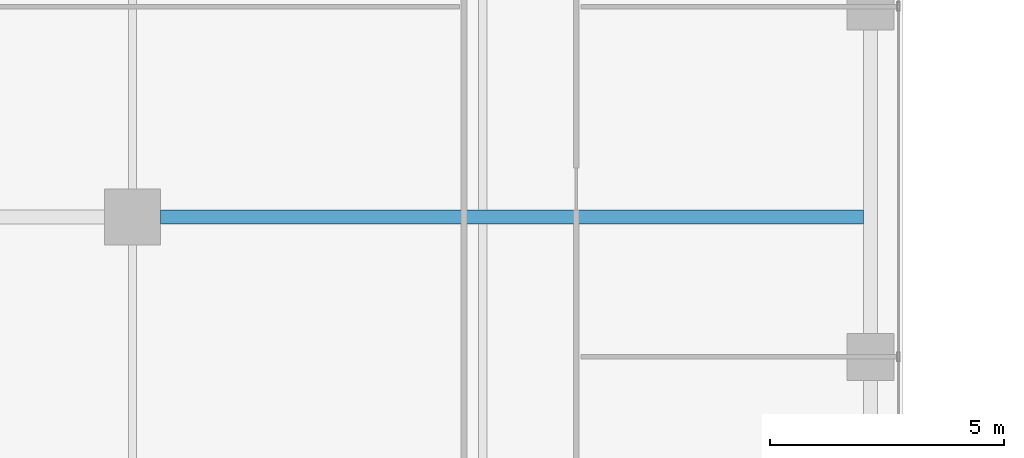
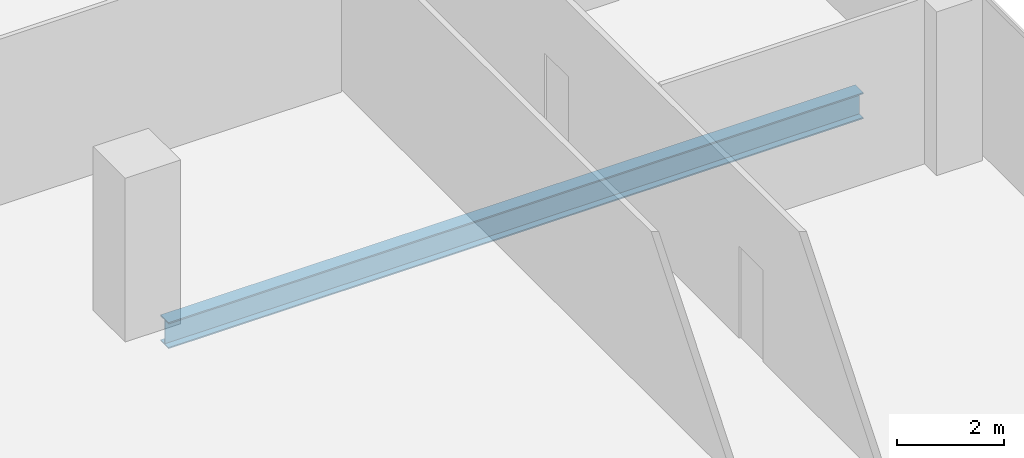
# One storey, part 13 of 38: 1 beam.
"""IFC4 building model written with IfcOpenShell, lengths in metres."""

import ifcopenshell
import ifcopenshell.guid

model = None  # the IFC model being written
_history = None  # IfcOwnerHistory: only IFC2X3 demands one
_inside = {}  # id of a spatial element -> (the spatial element, [elements in it])
_under = {}  # id of a project, library or spatial element -> (it, [spatial elements below it])
_declared = {}  # id of a project -> (the project, [libraries it declares])
_typed = {}  # id of a type object -> (the type object, [elements of that type])
_made_of = {}  # id of a material, layer set ... -> (it, [elements and type objects made of it])


def new_model(schema):
    """Start an empty IFC model of exactly this schema.

    Asked for "IFC4X3", IfcOpenShell would pick the latest addendum, in which some entities
    have other attributes; the version numbers below select the first issue.
    IFC2X3 requires an IfcOwnerHistory on every rooted entity: one is made here for all.
    """
    global model, _history
    if schema == "IFC4X3":
        model = ifcopenshell.file(schema_version=(4, 3, 0, 0))
    else:
        model = ifcopenshell.file(schema=schema)
    _inside.clear()
    _under.clear()
    _declared.clear()
    _typed.clear()
    _made_of.clear()
    _history = None
    if model.schema == "IFC2X3":
        org = make("IfcOrganization", Name="unknown")
        user = make(
            "IfcPersonAndOrganization",
            ThePerson=make("IfcPerson", FamilyName="unknown"),
            TheOrganization=org,
        )
        app = make(
            "IfcApplication",
            ApplicationDeveloper=org,
            Version="unknown",
            ApplicationFullName="unknown",
            ApplicationIdentifier="unknown",
        )
        _history = make(
            "IfcOwnerHistory",
            OwningUser=user,
            OwningApplication=app,
            ChangeAction="ADDED",
            CreationDate=0,
        )
    return model


def make(cls, **values):
    """One entity of the class cls with the attributes given. An attribute that is None is left unset."""
    return model.create_entity(
        cls, **{name: value for name, value in values.items() if value is not None}
    )


def rooted(cls, **values):
    """An entity with a GlobalId (a new one), such as an element, a storey or a relation."""
    return make(cls, GlobalId=ifcopenshell.guid.new(), OwnerHistory=_history, **values)


def si_unit(unit_type, name, prefix=None):
    """IfcSIUnit, for example si_unit("LENGTHUNIT", "METRE", prefix="MILLI")."""
    return make("IfcSIUnit", UnitType=unit_type, Prefix=prefix, Name=name)


def assignment(units):
    """IfcUnitAssignment: the units of a project."""
    return None if units is None else make("IfcUnitAssignment", Units=units)


def point(xyz):
    """IfcCartesianPoint."""
    return None if xyz is None else make("IfcCartesianPoint", Coordinates=xyz)


def direction(xyz):
    """IfcDirection."""
    return None if xyz is None else make("IfcDirection", DirectionRatios=xyz)


def frame(location, z_axis=None, x_axis=None):
    """IfcAxis2Placement3D, a coordinate frame: its origin and axes. An axis left out is left unset."""
    return make(
        "IfcAxis2Placement3D",
        Location=point(location),
        Axis=direction(z_axis),
        RefDirection=direction(x_axis),
    )


def frame_2d(location, x_axis=None):
    """IfcAxis2Placement2D, a coordinate frame in the plane: its origin and x axis."""
    return make(
        "IfcAxis2Placement2D", Location=point(location), RefDirection=direction(x_axis)
    )


def origin():
    """The frame at (0, 0, 0) with its axes left unset."""
    return frame((0.0, 0.0, 0.0))


def origin_2d():
    """The frame at (0, 0) in the plane with its x axis left unset."""
    return frame_2d((0.0, 0.0))


def place(relative_to, where):
    """IfcLocalPlacement: puts the frame where relative to a parent placement (None: the world)."""
    return make(
        "IfcLocalPlacement", PlacementRelTo=relative_to, RelativePlacement=where
    )


def context(
    kind, dimensions, precision=None, world=None, true_north=None, identifier=None
):
    """IfcGeometricRepresentationContext, for example the 3D "Model" context."""
    return make(
        "IfcGeometricRepresentationContext",
        ContextIdentifier=identifier,
        ContextType=kind,
        CoordinateSpaceDimension=dimensions,
        Precision=precision,
        WorldCoordinateSystem=world,
        TrueNorth=true_north,
    )


def subcontext(parent, identifier, kind, view, scale=None):
    """IfcGeometricRepresentationSubContext, for example "Body" below "Model"."""
    return make(
        "IfcGeometricRepresentationSubContext",
        ContextIdentifier=identifier,
        ContextType=kind,
        ParentContext=parent,
        TargetScale=scale,
        TargetView=view,
    )


def project(units=None, contexts=None):
    """IfcProject with its units and contexts."""
    return rooted(
        "IfcProject",
        Name="project",
        RepresentationContexts=contexts,
        UnitsInContext=assignment(units),
    )


def spatial(cls, under=None, at=None, **own):
    """A site, building, storey or space (cls), placed at a placement, below another one or the project."""
    s = rooted(cls, ObjectPlacement=at, **own)
    if under is not None:
        _under.setdefault(under.id(), (under, []))[1].append(s)
    return s


def profile(cls, at=None, kind="AREA", **sizes):
    """A parametric profile (cls). Its sizes go by their IFC names, for example OverallWidth=200.0."""
    return make(cls, ProfileType=kind, Position=at, **sizes)


def i_section(**sizes):
    """IfcIShapeProfileDef."""
    return profile("IfcIShapeProfileDef", **sizes)


def extrude(swept, where, along, depth):
    """IfcExtrudedAreaSolid: the profile swept, set in the frame where, extruded along a direction by depth."""
    return make(
        "IfcExtrudedAreaSolid",
        SweptArea=swept,
        Position=where,
        ExtrudedDirection=direction(along),
        Depth=depth,
    )


def shape(context_of_items, identifier, shape_type, items):
    """IfcShapeRepresentation: the items that make up one representation, for example the "Body"."""
    return make(
        "IfcShapeRepresentation",
        ContextOfItems=context_of_items,
        RepresentationIdentifier=identifier,
        RepresentationType=shape_type,
        Items=items,
    )


def source(mapping_origin, context_of_items, identifier, shape_type, items):
    """IfcRepresentationMap: a shape defined once, which mapped items show again and again."""
    return make(
        "IfcRepresentationMap",
        MappingOrigin=mapping_origin,
        MappedRepresentation=shape(context_of_items, identifier, shape_type, items),
    )


def transform(
    local_origin,
    x_axis=None,
    y_axis=None,
    z_axis=None,
    scale=None,
    scale2=None,
    scale3=None,
    uniform=True,
):
    """IfcCartesianTransformationOperator3D, or its non-uniform kind. x_axis, y_axis, z_axis: its Axis1, 2, 3."""
    if uniform:
        return make(
            "IfcCartesianTransformationOperator3D",
            Axis1=direction(x_axis),
            Axis2=direction(y_axis),
            LocalOrigin=point(local_origin),
            Scale=scale,
            Axis3=direction(z_axis),
        )
    return make(
        "IfcCartesianTransformationOperator3DnonUniform",
        Axis1=direction(x_axis),
        Axis2=direction(y_axis),
        LocalOrigin=point(local_origin),
        Scale=scale,
        Axis3=direction(z_axis),
        Scale2=scale2,
        Scale3=scale3,
    )


def mapped(mapping_source, mapping_target):
    """IfcMappedItem: shows the shape of a source again, moved by a transform."""
    return make(
        "IfcMappedItem", MappingSource=mapping_source, MappingTarget=mapping_target
    )


def material(Name=None, Category=None):
    """IfcMaterial."""
    return make("IfcMaterial", Name=Name, Category=Category)


def material_profile(
    of_material, cross_section, Name=None, Category=None, Priority=None
):
    """IfcMaterialProfile: a cross section and its material."""
    return make(
        "IfcMaterialProfile",
        Name=Name,
        Material=of_material,
        Profile=cross_section,
        Priority=Priority,
        Category=Category,
    )


def profile_set(profiles, Name=None, composite=None):
    """IfcMaterialProfileSet."""
    return make(
        "IfcMaterialProfileSet",
        Name=Name,
        MaterialProfiles=profiles,
        CompositeProfile=composite,
    )


def made_of(thing, what):
    """Note that an element or type object is made of a material, layer set ...; save() writes the relation."""
    if what is not None:
        _made_of.setdefault(what.id(), (what, []))[1].append(thing)
    return thing


def type_object(cls, material=None, **own):
    """A type object (cls), such as IfcWallType, which elements share."""
    return made_of(rooted(cls, **own), material)


def element(
    cls,
    number,
    at=None,
    inside=None,
    cuts=None,
    type_object=None,
    material=None,
    context=None,
    identifier="Body",
    shape_type=None,
    held_by="IfcProductDefinitionShape",
    body=None,
    shapes=None,
    **own,
):
    """One element of the class cls, such as IfcWall. Its Tag is "e" and its number.

    at: its placement. inside: the storey or other place that contains it. cuts: it is an
    opening in that element (IfcRelVoidsElement). A single representation is given by context,
    identifier, shape_type and body (its items); several are given by shapes. held_by: the class
    of the entity that holds the representations. save() writes the other relations.
    """
    e = rooted(cls, Tag="e%d" % number, ObjectPlacement=at, **own)
    if body is not None:
        shapes = [shape(context, identifier, shape_type, body)]
    if shapes is not None:
        e.Representation = make(held_by, Representations=shapes)
    if inside is not None:
        _inside.setdefault(inside.id(), (inside, []))[1].append(e)
    if cuts is not None:
        rooted(
            "IfcRelVoidsElement", RelatingBuildingElement=cuts, RelatedOpeningElement=e
        )
    if type_object is not None:
        _typed.setdefault(type_object.id(), (type_object, []))[1].append(e)
    return made_of(e, material)


def aggregate(whole, parts):
    """IfcRelAggregates: a whole, such as a stair, and the parts it consists of."""
    return rooted("IfcRelAggregates", RelatingObject=whole, RelatedObjects=parts)


def save(model, path):
    """Write the relations noted so far, then the file.

    IfcRelAggregates (storeys below a building ...), IfcRelContainedInSpatialStructure (elements
    in a storey), IfcRelDefinesByType, IfcRelAssociatesMaterial and IfcRelDeclares: one each for
    every whole, place, type object, material and project.
    """
    for whole, parts in _under.values():
        aggregate(whole, parts)
    for where, things in _inside.values():
        rooted(
            "IfcRelContainedInSpatialStructure",
            RelatedElements=things,
            RelatingStructure=where,
        )
    for kind, things in _typed.values():
        rooted("IfcRelDefinesByType", RelatedObjects=things, RelatingType=kind)
    for what, things in _made_of.values():
        rooted("IfcRelAssociatesMaterial", RelatedObjects=things, RelatingMaterial=what)
    for by, libraries in _declared.values():
        rooted("IfcRelDeclares", RelatingContext=by, RelatedDefinitions=libraries)
    model.write(path)


model = new_model("IFC4")

# Units and contexts
model_context = context("Model", 3, precision=1e-05, world=origin(), true_north=direction((0.0, 1.0)))
body_context = subcontext(model_context, "Body", "Model", "MODEL_VIEW")
ifc_project = project(units=[si_unit("LENGTHUNIT", "METRE"), si_unit("AREAUNIT", "SQUARE_METRE"), si_unit("VOLUMEUNIT", "CUBIC_METRE"), si_unit("PLANEANGLEUNIT", "RADIAN"), si_unit("MASSUNIT", "GRAM", prefix="KILO")], contexts=[model_context])

# Site, building, storey
site_placement = place(None, origin())
site = spatial("IfcSite", under=ifc_project, at=site_placement, CompositionType="ELEMENT")
building_placement = place(site_placement, origin())
building = spatial("IfcBuilding", under=site, at=building_placement, Name="Khomas Fold Tower", CompositionType="ELEMENT")
storey_placement = place(building_placement, frame((0.0, 0.0, 196.699951171875)))
storey = spatial("IfcBuildingStorey", under=building, at=storey_placement, Name="L43", CompositionType="ELEMENT", Elevation=196.699951171875)

# Beam
ifc_material = material(Name="Steel S355", Category="steel")
ifc_material_profile = material_profile(ifc_material, i_section(OverallWidth=0.300048828125, OverallDepth=0.60009765625, WebThickness=0.015380859375, FlangeThickness=0.030029296875, at=origin_2d()), Name="HE 600 B")
ifc_profile_set = profile_set([ifc_material_profile], Name="Steel S355")
beam_type = type_object("IfcBeamType", Name="HE 600 B beam GB5", PredefinedType="BEAM", material=ifc_profile_set)
shared_shape = source(origin(), body_context, "Body", "SweptSolid", [
    extrude(i_section(OverallWidth=0.300048828125, OverallDepth=0.60009765625, WebThickness=0.015380859375, FlangeThickness=0.030029296875, at=origin_2d()), origin(), (0.0, 0.0, 1.0), 15.0498046875),
])
beam_placement = place(storey_placement, frame((35.10009765625, 22.5, -0.550048828125), z_axis=(1.0, 0.0, 0.0), x_axis=(0.0, 1.0, 0.0)))
element("IfcBeam", 1, at=beam_placement, inside=storey, type_object=beam_type, Name="GB5", PredefinedType="BEAM", context=body_context, shape_type="MappedRepresentation", body=[
    mapped(shared_shape, transform((0.0, 0.0, 0.0))),
])

save(model, "model.ifc")
